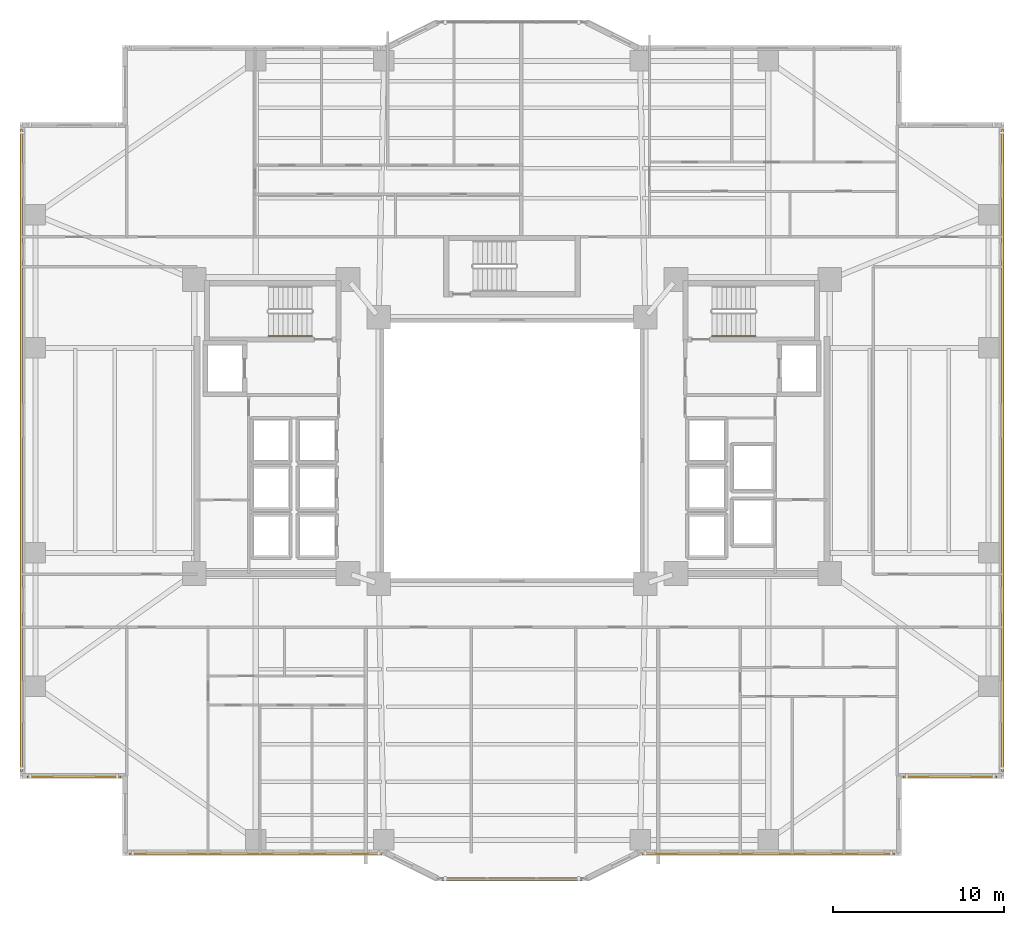
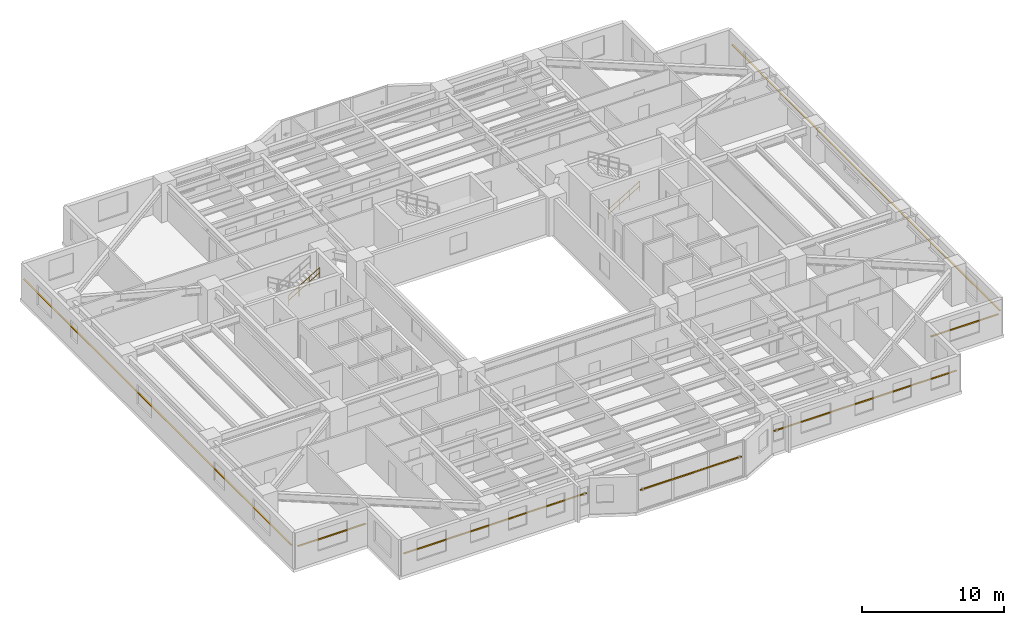
# One storey, part 18 of 20: 7 shading devices, 2 railings.
"""IFC4 building model written with IfcOpenShell, lengths in metres."""

from ifc_helpers import new_model, si_unit, direction, frame, origin, origin_2d, place, context, subcontext, project, spatial, rectangle, circle, extrude, material, material_profile, profile_set, type_object, element, save


model = new_model("IFC4")

# Units and contexts
model_context = context("Model", 3, precision=1e-05, world=origin(), true_north=direction((0.0, 1.0)))
body_context = subcontext(model_context, "Body", "Model", "MODEL_VIEW")
ifc_project = project(units=[si_unit("LENGTHUNIT", "METRE"), si_unit("AREAUNIT", "SQUARE_METRE"), si_unit("VOLUMEUNIT", "CUBIC_METRE"), si_unit("PLANEANGLEUNIT", "RADIAN"), si_unit("MASSUNIT", "GRAM", prefix="KILO")], contexts=[model_context])

# Site, building, storey
site_placement = place(None, origin())
site = spatial("IfcSite", under=ifc_project, at=site_placement, CompositionType="ELEMENT")
building_placement = place(site_placement, origin())
building = spatial("IfcBuilding", under=site, at=building_placement, Name="Tarnavaz Court Tower", CompositionType="ELEMENT")
storey_placement = place(building_placement, frame((0.0, 0.0, 30.699951171875)))
storey = spatial("IfcBuildingStorey", under=building, at=storey_placement, Name="L07", CompositionType="ELEMENT", Elevation=30.699951171875)

# Railings
ifc_material_1 = material(Name="Brushed Stainless Steel", Category="steel")
railing_type = type_object("IfcRailingType", Name="RL-HANDRAIL-900", PredefinedType="HANDRAIL", material=ifc_material_1)
for number, where, name in (
    (1, (-14.239990234375, 6.699951171875, 1.842529296875), "L07 ST-W1 stair handrail 2"),
    (2, (11.719970703125, 6.699951171875, 0.16748046875), "L07 ST-E1 stair handrail 1"),
):
    element("IfcRailing", number, at=place(storey_placement, frame(where)), inside=storey, type_object=railing_type, Name=name, PredefinedType="HANDRAIL", context=body_context, shape_type="SweptSolid", body=[
        extrude(circle(Radius=0.02392578125, at=origin_2d()), frame((0.0, 0.0, 0.8759765625), z_axis=(0.858159760407, 0.0, 0.513382728203), x_axis=(0.0, 1.0, 0.0)), (0.0, 0.0, 1.0), 2.9365234375),
        extrude(circle(Radius=0.02392578125, at=origin_2d()), frame((0.0, 0.0, 0.449951171875), z_axis=(0.858159760407, 0.0, 0.513382728203), x_axis=(0.0, 1.0, 0.0)), (0.0, 0.0, 1.0), 2.9365234375),
        extrude(circle(Radius=0.02099609375, at=origin_2d()), origin(), (0.0, 0.0, 1.0), 0.851806640625),
        extrude(circle(Radius=0.02099609375, at=origin_2d()), frame((0.840087890625, 0.0, 0.50244140625)), (0.0, 0.0, 1.0), 0.851806640625),
        extrude(circle(Radius=0.02099609375, at=origin_2d()), frame((1.679931640625, 0.0, 1.005126953125)), (0.0, 0.0, 1.0), 0.851806640625),
        extrude(circle(Radius=0.02099609375, at=origin_2d()), frame((2.52001953125, 0.0, 1.507568359375)), (0.0, 0.0, 1.0), 0.851806640625),
    ])

# Shading devices
ifc_material_2 = material(Name="Kiln-Fired Khorasan Terracotta Ceramic", Category="masonry")
ifc_material_profile = material_profile(ifc_material_2, rectangle(XDim=0.1201171875, YDim=0.06005859375, at=origin_2d()), Name="TC BAGUETTE 120X60")
ifc_profile_set = profile_set([ifc_material_profile], Name="Kiln-Fired Khorasan Terracotta Ceramic")
shading_device_type = type_object("IfcShadingDeviceType", Name="SD-BAG-120", PredefinedType="USERDEFINED", material=ifc_profile_set)
shading_device_1_placement = place(storey_placement, frame((-22.89990234375, -19.110107421875, 1.85009765625), z_axis=(-1.0, 0.0, 0.0), x_axis=(0.0, -1.0, 0.0)))
element("IfcShadingDevice", 3, at=shading_device_1_placement, inside=storey, type_object=shading_device_type, Name="L07 Terracotta Baguette Screen FBG01", ObjectType="BAGUETTE", PredefinedType="USERDEFINED", context=body_context, shape_type="SweptSolid", body=[
    extrude(rectangle(XDim=0.1201171875, YDim=0.06005859375, at=origin_2d()), origin(), (0.0, 0.0, 1.0), 5.5),
])
for number, where, z_axis, x_axis, name in (
    (4, (-28.7099609375, -18.800048828125, 1.85009765625), (0.0, 1.0, 0.0), (-1.0, 0.0, 0.0), "L07 Terracotta Baguette Screen FBG02"),
    (5, (28.7099609375, 18.800048828125, 1.85009765625), (0.0, -1.0, 0.0), (1.0, 0.0, 0.0), "L07 Terracotta Baguette Screen FBG12"),
):
    element("IfcShadingDevice", number, at=place(storey_placement, frame(where, z_axis=z_axis, x_axis=x_axis)), inside=storey, type_object=shading_device_type, Name=name, ObjectType="BAGUETTE", PredefinedType="USERDEFINED", context=body_context, shape_type="SweptSolid", body=[
        extrude(rectangle(XDim=0.1201171875, YDim=0.06005859375, at=origin_2d()), origin(), (0.0, 0.0, 1.0), 37.60009765625),
    ])
shading_device_2_placement = place(storey_placement, frame((28.39990234375, -19.110107421875, 1.85009765625), z_axis=(-1.0, 0.0, 0.0), x_axis=(0.0, -1.0, 0.0)))
element("IfcShadingDevice", 6, at=shading_device_2_placement, inside=storey, type_object=shading_device_type, Name="L07 Terracotta Baguette Screen FBG13", ObjectType="BAGUETTE", PredefinedType="USERDEFINED", context=body_context, shape_type="SweptSolid", body=[
    extrude(rectangle(XDim=0.1201171875, YDim=0.06005859375, at=origin_2d()), origin(), (0.0, 0.0, 1.0), 5.5),
])
shading_device_3_placement = place(storey_placement, frame((22.39990234375, -23.610107421875, 1.85009765625), z_axis=(-1.0, 0.0, 0.0), x_axis=(0.0, -1.0, 0.0)))
element("IfcShadingDevice", 7, at=shading_device_3_placement, inside=storey, type_object=shading_device_type, Name="L07 Terracotta Baguette Screen FBG15", ObjectType="BAGUETTE", PredefinedType="USERDEFINED", context=body_context, shape_type="SweptSolid", body=[
    extrude(rectangle(XDim=0.1201171875, YDim=0.06005859375, at=origin_2d()), origin(), (0.0, 0.0, 1.0), 14.7998046875),
])
shading_device_4_placement = place(storey_placement, frame((4.10009765625, -25.110107421875, 1.800048828125), z_axis=(-1.0, 0.0, 0.0), x_axis=(0.0, -1.0, 0.0)))
element("IfcShadingDevice", 8, at=shading_device_4_placement, inside=storey, type_object=shading_device_type, Name="L07 Terracotta Baguette Screen PBG17", ObjectType="BAGUETTE", PredefinedType="USERDEFINED", context=body_context, shape_type="SweptSolid", body=[
    extrude(rectangle(XDim=0.1201171875, YDim=0.06005859375, at=origin_2d()), origin(), (0.0, 0.0, 1.0), 8.2001953125),
])
shading_device_5_placement = place(storey_placement, frame((-7.60009765625, -23.610107421875, 1.85009765625), z_axis=(-1.0, 0.0, 0.0), x_axis=(0.0, -1.0, 0.0)))
element("IfcShadingDevice", 9, at=shading_device_5_placement, inside=storey, type_object=shading_device_type, Name="L07 Terracotta Baguette Screen FBG19", ObjectType="BAGUETTE", PredefinedType="USERDEFINED", context=body_context, shape_type="SweptSolid", body=[
    extrude(rectangle(XDim=0.1201171875, YDim=0.06005859375, at=origin_2d()), origin(), (0.0, 0.0, 1.0), 14.7998046875),
])

save(model, "model.ifc")
